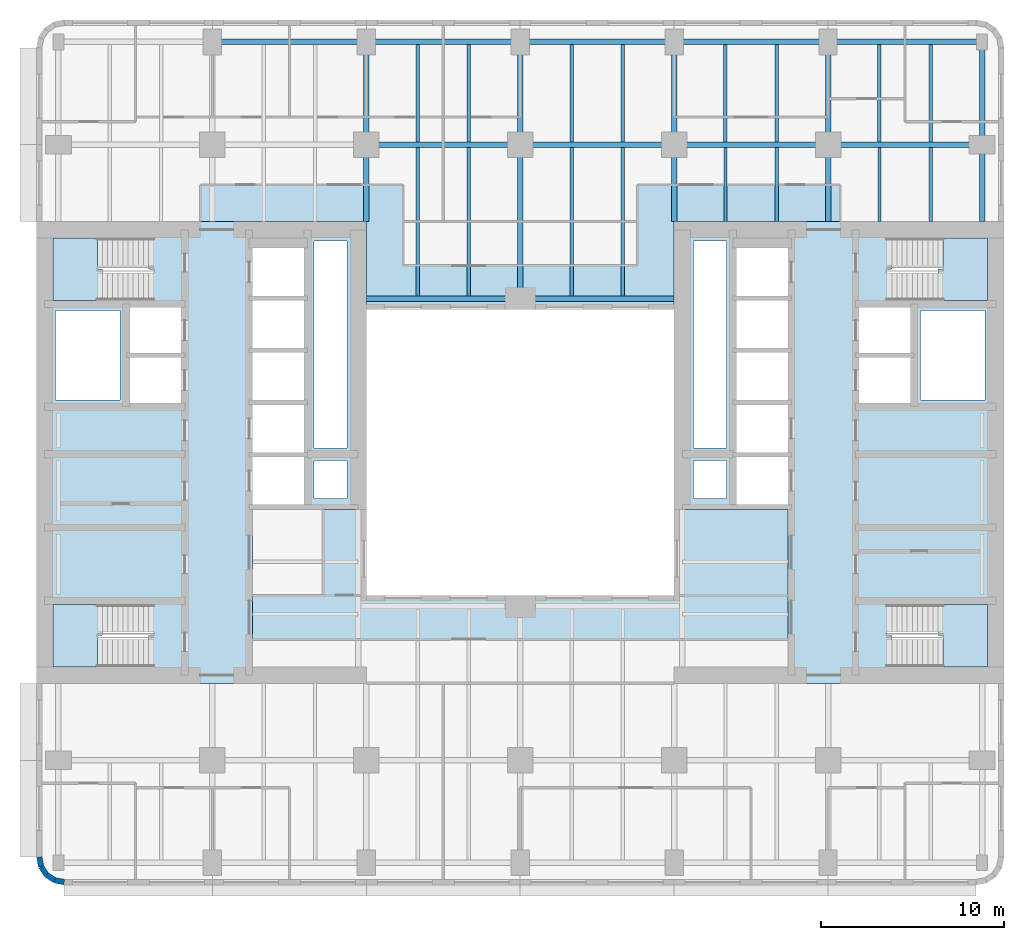
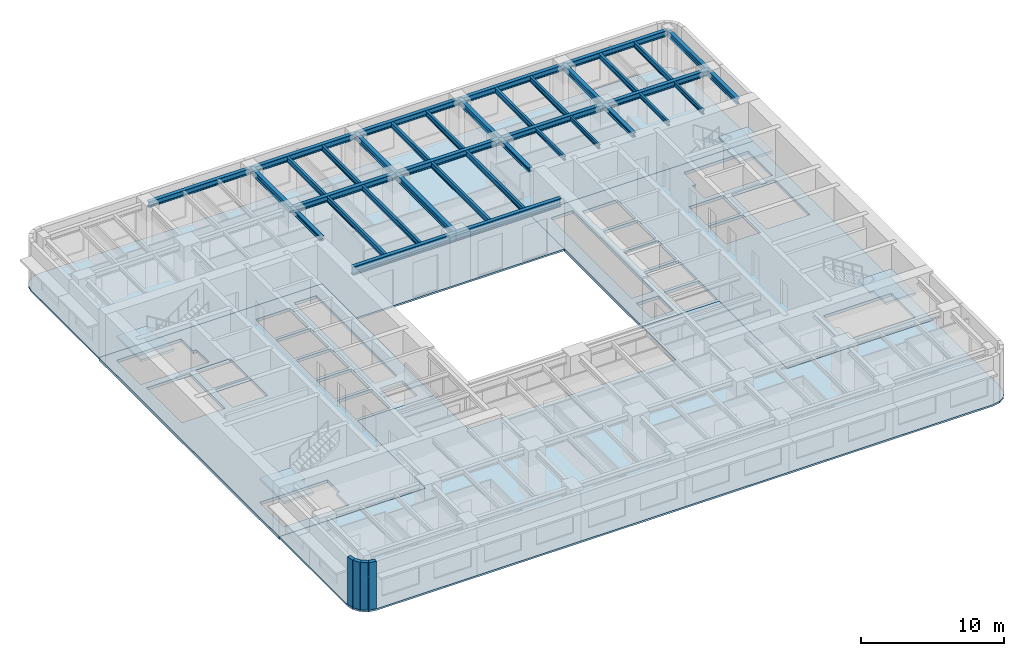
# One storey, part 2 of 11: 37 beams, 8 slabs, 4 walls, 4 elements without a shape of their own.
"""IFC4 building model written with IfcOpenShell, lengths in metres."""

from ifc_helpers import new_model, si_unit, direction, frame, frame_2d, origin, origin_2d, place, context, subcontext, project, spatial, polyline, rectangle, i_section, outline, extrude, material, layer, layer_set, material_profile, profile_set, type_object, element, aggregate, save


model = new_model("IFC4")

# Units and contexts
model_context = context("Model", 3, precision=1e-05, world=origin(), true_north=direction((0.0, 1.0)))
body_context = subcontext(model_context, "Body", "Model", "MODEL_VIEW")
ifc_project = project(units=[si_unit("LENGTHUNIT", "METRE"), si_unit("AREAUNIT", "SQUARE_METRE"), si_unit("VOLUMEUNIT", "CUBIC_METRE"), si_unit("PLANEANGLEUNIT", "RADIAN"), si_unit("MASSUNIT", "GRAM", prefix="KILO")], contexts=[model_context])

# Site, building, storey
site_placement = place(None, origin())
site = spatial("IfcSite", under=ifc_project, at=site_placement, CompositionType="ELEMENT")
building_placement = place(site_placement, origin())
building = spatial("IfcBuilding", under=site, at=building_placement, Name="Claustro Exchange Tower", CompositionType="ELEMENT")
storey_placement = place(building_placement, frame((0.0, 0.0, 147.0)))
storey = spatial("IfcBuildingStorey", under=building, at=storey_placement, Name="L33", CompositionType="ELEMENT", Elevation=147.0)

# Beams
ifc_material_1 = material(Name="Steel S355", Category="steel")
ifc_material_profile_1 = material_profile(ifc_material_1, i_section(OverallWidth=0.300048828125, OverallDepth=0.68994140625, WebThickness=0.014404296875, FlangeThickness=0.027099609375, FilletRadius=0.027099609375, at=origin_2d()), Name="HE 700 A")
ifc_profile_set_1 = profile_set([ifc_material_profile_1], Name="Steel S355")
beam_type_1 = type_object("IfcBeamType", Name="B13 HE 700 A light well edge girder", PredefinedType="BEAM", material=ifc_profile_set_1)
beam_1_placement = place(storey_placement, frame((16.800048828125, 33.60009765625, 3.705078125), z_axis=(1.0, 0.0, 0.0), x_axis=(0.0, 1.0, 0.0)))
element("IfcBeam", 1, at=beam_1_placement, inside=storey, type_object=beam_type_1, Name="Beam B13 L34", PredefinedType="BEAM", context=body_context, shape_type="SweptSolid", body=[
    extrude(i_section(OverallWidth=0.300048828125, OverallDepth=0.68994140625, WebThickness=0.014404296875, FlangeThickness=0.027099609375, FilletRadius=0.027099609375, at=origin_2d()), origin(), (0.0, 0.0, 1.0), 8.39990234375),
])
beam_2_placement = place(storey_placement, frame((25.199951171875, 33.60009765625, 3.705078125), z_axis=(1.0, 0.0, 0.0), x_axis=(0.0, 1.0, 0.0)))
element("IfcBeam", 2, at=beam_2_placement, inside=storey, type_object=beam_type_1, Name="Beam B13 L34", PredefinedType="BEAM", context=body_context, shape_type="SweptSolid", body=[
    extrude(i_section(OverallWidth=0.300048828125, OverallDepth=0.68994140625, WebThickness=0.014404296875, FlangeThickness=0.027099609375, FilletRadius=0.027099609375, at=origin_2d()), origin(), (0.0, 0.0, 1.0), 8.400146484375),
])
ifc_material_2 = material(Name="Steel S355", Category="steel")
ifc_material_profile_2 = material_profile(ifc_material_2, i_section(OverallWidth=0.169921875, OverallDepth=0.360107421875, WebThickness=0.008056640625, FlangeThickness=0.0126953125, FilletRadius=0.01806640625, at=origin_2d()), Name="IPE 360")
ifc_profile_set_2 = profile_set([ifc_material_profile_2], Name="Steel S355")
beam_type_2 = type_object("IfcBeamType", Name="B16 IPE 360 short-span beam", PredefinedType="BEAM", material=ifc_profile_set_2)
for number, where, z_axis, x_axis, name in (
    (3, (36.39990234375, 37.7900390625, 3.8701171875), (0.0, 1.0, 0.0), (-1.0, 0.0, 0.0), "Beam B16 L34"),
    (4, (39.199951171875, 37.7900390625, 3.8701171875), (0.0, 1.0, 0.0), (-1.0, 0.0, 0.0), "Beam B16 L34"),
    (5, (44.800048828125, 37.7900390625, 3.8701171875), (0.0, 1.0, 0.0), (-1.0, 0.0, 0.0), "Beam B16 L34"),
    (6, (47.60009765625, 37.7900390625, 3.8701171875), (0.0, 1.0, 0.0), (-1.0, 0.0, 0.0), "Beam B16 L34"),
):
    element("IfcBeam", number, at=place(storey_placement, frame(where, z_axis=z_axis, x_axis=x_axis)), inside=storey, type_object=beam_type_2, Name=name, PredefinedType="BEAM", context=body_context, shape_type="SweptSolid", body=[
        extrude(i_section(OverallWidth=0.169921875, OverallDepth=0.360107421875, WebThickness=0.008056640625, FlangeThickness=0.0126953125, FilletRadius=0.01806640625, at=origin_2d()), origin(), (0.0, 0.0, 1.0), 4.06005859375),
    ])
ifc_material_3 = material(Name="Steel S355", Category="steel")
ifc_material_profile_3 = material_profile(ifc_material_3, i_section(OverallWidth=0.300048828125, OverallDepth=0.360107421875, WebThickness=0.012451171875, FlangeThickness=0.0224609375, FilletRadius=0.027099609375, at=origin_2d()), Name="HE 360 B")
ifc_profile_set_3 = profile_set([ifc_material_profile_3], Name="Steel S355")
beam_type_3 = type_object("IfcBeamType", Name="B29 HE 360 B column to core link beam", PredefinedType="BEAM", material=ifc_profile_set_3)
for number, where, z_axis, x_axis, name in (
    (7, (16.800048828125, 37.800048828125, 3.8701171875), (0.0, 1.0, 0.0), (-1.0, 0.0, 0.0), "Beam B29 L34"),
    (8, (33.60009765625, 37.800048828125, 3.8701171875), (0.0, 1.0, 0.0), (-1.0, 0.0, 0.0), "Beam B29 L34"),
    (9, (42.0, 37.800048828125, 3.8701171875), (0.0, 1.0, 0.0), (-1.0, 0.0, 0.0), "Beam B29 L34"),
):
    element("IfcBeam", number, at=place(storey_placement, frame(where, z_axis=z_axis, x_axis=x_axis)), inside=storey, type_object=beam_type_3, Name=name, PredefinedType="BEAM", context=body_context, shape_type="SweptSolid", body=[
        extrude(i_section(OverallWidth=0.300048828125, OverallDepth=0.360107421875, WebThickness=0.012451171875, FlangeThickness=0.0224609375, FilletRadius=0.027099609375, at=origin_2d()), origin(), (0.0, 0.0, 1.0), 4.199951171875),
    ])
ifc_material_4 = material(Name="Steel S355", Category="steel")
ifc_material_profile_4 = material_profile(ifc_material_4, i_section(OverallWidth=0.300048828125, OverallDepth=0.5, WebThickness=0.014404296875, FlangeThickness=0.028076171875, FilletRadius=0.027099609375, at=origin_2d()), Name="HE 500 B")
ifc_profile_set_4 = profile_set([ifc_material_profile_4], Name="Steel S355")
beam_type_4 = type_object("IfcBeamType", Name="B7 HE 500 B floor girder", PredefinedType="BEAM", material=ifc_profile_set_4)
beam_3_placement = place(storey_placement, frame((16.800048828125, 42.0, 3.800048828125), z_axis=(0.0, 1.0, 0.0), x_axis=(-1.0, 0.0, 0.0)))
element("IfcBeam", 10, at=beam_3_placement, inside=storey, type_object=beam_type_4, Name="Beam B7 L34", PredefinedType="BEAM", context=body_context, shape_type="SweptSolid", body=[
    extrude(i_section(OverallWidth=0.300048828125, OverallDepth=0.5, WebThickness=0.014404296875, FlangeThickness=0.028076171875, FilletRadius=0.027099609375, at=origin_2d()), origin(), (0.0, 0.0, 1.0), 5.60009765625),
])
beam_4_placement = place(storey_placement, frame((25.199951171875, 33.60009765625, 3.800048828125), z_axis=(0.0, 1.0, 0.0), x_axis=(-1.0, 0.0, 0.0)))
element("IfcBeam", 11, at=beam_4_placement, inside=storey, type_object=beam_type_4, Name="Beam B7 L34", PredefinedType="BEAM", context=body_context, shape_type="SweptSolid", body=[
    extrude(i_section(OverallWidth=0.300048828125, OverallDepth=0.5, WebThickness=0.014404296875, FlangeThickness=0.028076171875, FilletRadius=0.027099609375, at=origin_2d()), origin(), (0.0, 0.0, 1.0), 8.39990234375),
])
for number, where, z_axis, x_axis, name in (
    (12, (25.199951171875, 42.0, 3.800048828125), (0.0, 1.0, 0.0), (-1.0, 0.0, 0.0), "Beam B7 L34"),
    (13, (33.60009765625, 42.0, 3.800048828125), (0.0, 1.0, 0.0), (-1.0, 0.0, 0.0), "Beam B7 L34"),
    (14, (42.0, 42.0, 3.800048828125), (0.0, 1.0, 0.0), (-1.0, 0.0, 0.0), "Beam B7 L34"),
):
    element("IfcBeam", number, at=place(storey_placement, frame(where, z_axis=z_axis, x_axis=x_axis)), inside=storey, type_object=beam_type_4, Name=name, PredefinedType="BEAM", context=body_context, shape_type="SweptSolid", body=[
        extrude(i_section(OverallWidth=0.300048828125, OverallDepth=0.5, WebThickness=0.014404296875, FlangeThickness=0.028076171875, FilletRadius=0.027099609375, at=origin_2d()), origin(), (0.0, 0.0, 1.0), 5.60009765625),
    ])
beam_5_placement = place(storey_placement, frame((16.800048828125, 42.0, 3.800048828125), z_axis=(1.0, 0.0, 0.0), x_axis=(0.0, 1.0, 0.0)))
element("IfcBeam", 15, at=beam_5_placement, inside=storey, type_object=beam_type_4, Name="Beam B7 L34", PredefinedType="BEAM", context=body_context, shape_type="SweptSolid", body=[
    extrude(i_section(OverallWidth=0.300048828125, OverallDepth=0.5, WebThickness=0.014404296875, FlangeThickness=0.028076171875, FilletRadius=0.027099609375, at=origin_2d()), origin(), (0.0, 0.0, 1.0), 8.39990234375),
])
beam_6_placement = place(storey_placement, frame((25.199951171875, 42.0, 3.800048828125), z_axis=(1.0, 0.0, 0.0), x_axis=(0.0, 1.0, 0.0)))
element("IfcBeam", 16, at=beam_6_placement, inside=storey, type_object=beam_type_4, Name="Beam B7 L34", PredefinedType="BEAM", context=body_context, shape_type="SweptSolid", body=[
    extrude(i_section(OverallWidth=0.300048828125, OverallDepth=0.5, WebThickness=0.014404296875, FlangeThickness=0.028076171875, FilletRadius=0.027099609375, at=origin_2d()), origin(), (0.0, 0.0, 1.0), 8.400146484375),
])
for number, where, z_axis, x_axis, name in (
    (17, (33.60009765625, 42.0, 3.800048828125), (1.0, 0.0, 0.0), (0.0, 1.0, 0.0), "Beam B7 L34"),
    (18, (42.0, 42.0, 3.800048828125), (1.0, 0.0, 0.0), (0.0, 1.0, 0.0), "Beam B7 L34"),
):
    element("IfcBeam", number, at=place(storey_placement, frame(where, z_axis=z_axis, x_axis=x_axis)), inside=storey, type_object=beam_type_4, Name=name, PredefinedType="BEAM", context=body_context, shape_type="SweptSolid", body=[
        extrude(i_section(OverallWidth=0.300048828125, OverallDepth=0.5, WebThickness=0.014404296875, FlangeThickness=0.028076171875, FilletRadius=0.027099609375, at=origin_2d()), origin(), (0.0, 0.0, 1.0), 8.39990234375),
    ])
ifc_material_5 = material(Name="Steel S355", Category="steel")
ifc_material_profile_5 = material_profile(ifc_material_5, i_section(OverallWidth=0.18994140625, OverallDepth=0.449951171875, WebThickness=0.009521484375, FlangeThickness=0.0146484375, FilletRadius=0.02099609375, at=origin_2d()), Name="IPE 450")
ifc_profile_set_5 = profile_set([ifc_material_profile_5], Name="Steel S355")
beam_type_5 = type_object("IfcBeamType", Name="B8 IPE 450 secondary beam", PredefinedType="BEAM", material=ifc_profile_set_5)
for number, where, z_axis, x_axis, name in (
    (19, (19.60009765625, 33.75, 3.824951171875), (0.0, 1.0, 0.0), (-1.0, 0.0, 0.0), "Beam B8 L34"),
    (20, (22.39990234375, 33.75, 3.824951171875), (0.0, 1.0, 0.0), (-1.0, 0.0, 0.0), "Beam B8 L34"),
):
    element("IfcBeam", number, at=place(storey_placement, frame(where, z_axis=z_axis, x_axis=x_axis)), inside=storey, type_object=beam_type_5, Name=name, PredefinedType="BEAM", context=body_context, shape_type="SweptSolid", body=[
        extrude(i_section(OverallWidth=0.18994140625, OverallDepth=0.449951171875, WebThickness=0.009521484375, FlangeThickness=0.0146484375, FilletRadius=0.02099609375, at=origin_2d()), origin(), (0.0, 0.0, 1.0), 8.10009765625),
    ])
for number, where, z_axis, x_axis, name in (
    (21, (19.60009765625, 42.14990234375, 3.824951171875), (0.0, 1.0, 0.0), (-1.0, 0.0, 0.0), "Beam B8 L34"),
    (22, (22.39990234375, 42.14990234375, 3.824951171875), (0.0, 1.0, 0.0), (-1.0, 0.0, 0.0), "Beam B8 L34"),
):
    element("IfcBeam", number, at=place(storey_placement, frame(where, z_axis=z_axis, x_axis=x_axis)), inside=storey, type_object=beam_type_5, Name=name, PredefinedType="BEAM", context=body_context, shape_type="SweptSolid", body=[
        extrude(i_section(OverallWidth=0.18994140625, OverallDepth=0.449951171875, WebThickness=0.009521484375, FlangeThickness=0.0146484375, FilletRadius=0.02099609375, at=origin_2d()), origin(), (0.0, 0.0, 1.0), 5.300048828125),
    ])
for number, where, z_axis, x_axis, name in (
    (23, (28.0, 33.75, 3.824951171875), (0.0, 1.0, 0.0), (-1.0, 0.0, 0.0), "Beam B8 L34"),
    (24, (30.800048828125, 33.75, 3.824951171875), (0.0, 1.0, 0.0), (-1.0, 0.0, 0.0), "Beam B8 L34"),
):
    element("IfcBeam", number, at=place(storey_placement, frame(where, z_axis=z_axis, x_axis=x_axis)), inside=storey, type_object=beam_type_5, Name=name, PredefinedType="BEAM", context=body_context, shape_type="SweptSolid", body=[
        extrude(i_section(OverallWidth=0.18994140625, OverallDepth=0.449951171875, WebThickness=0.009521484375, FlangeThickness=0.0146484375, FilletRadius=0.02099609375, at=origin_2d()), origin(), (0.0, 0.0, 1.0), 8.10009765625),
    ])
for number, where, z_axis, x_axis, name in (
    (25, (28.0, 42.14990234375, 3.824951171875), (0.0, 1.0, 0.0), (-1.0, 0.0, 0.0), "Beam B8 L34"),
    (26, (30.800048828125, 42.14990234375, 3.824951171875), (0.0, 1.0, 0.0), (-1.0, 0.0, 0.0), "Beam B8 L34"),
    (27, (36.39990234375, 42.14990234375, 3.824951171875), (0.0, 1.0, 0.0), (-1.0, 0.0, 0.0), "Beam B8 L34"),
    (28, (39.199951171875, 42.14990234375, 3.824951171875), (0.0, 1.0, 0.0), (-1.0, 0.0, 0.0), "Beam B8 L34"),
    (29, (44.800048828125, 42.14990234375, 3.824951171875), (0.0, 1.0, 0.0), (-1.0, 0.0, 0.0), "Beam B8 L34"),
    (30, (47.60009765625, 42.14990234375, 3.824951171875), (0.0, 1.0, 0.0), (-1.0, 0.0, 0.0), "Beam B8 L34"),
):
    element("IfcBeam", number, at=place(storey_placement, frame(where, z_axis=z_axis, x_axis=x_axis)), inside=storey, type_object=beam_type_5, Name=name, PredefinedType="BEAM", context=body_context, shape_type="SweptSolid", body=[
        extrude(i_section(OverallWidth=0.18994140625, OverallDepth=0.449951171875, WebThickness=0.009521484375, FlangeThickness=0.0146484375, FilletRadius=0.02099609375, at=origin_2d()), origin(), (0.0, 0.0, 1.0), 5.300048828125),
    ])
ifc_material_6 = material(Name="Steel S355", Category="steel")
ifc_material_profile_6 = material_profile(ifc_material_6, i_section(OverallWidth=0.300048828125, OverallDepth=0.489990234375, WebThickness=0.011962890625, FlangeThickness=0.02294921875, FilletRadius=0.027099609375, at=origin_2d()), Name="HE 500 A")
ifc_profile_set_6 = profile_set([ifc_material_profile_6], Name="Steel S355")
beam_type_6 = type_object("IfcBeamType", Name="B9 HE 500 A spandrel edge girder", PredefinedType="SPANDREL", material=ifc_profile_set_6)
beam_7_placement = place(storey_placement, frame((50.39990234375, 37.800048828125, 3.804931640625), z_axis=(0.0, 1.0, 0.0), x_axis=(-1.0, 0.0, 0.0)))
element("IfcBeam", 31, at=beam_7_placement, inside=storey, type_object=beam_type_6, Name="Beam B9 L34", PredefinedType="SPANDREL", context=body_context, shape_type="SweptSolid", body=[
    extrude(i_section(OverallWidth=0.300048828125, OverallDepth=0.489990234375, WebThickness=0.011962890625, FlangeThickness=0.02294921875, FilletRadius=0.027099609375, at=origin_2d()), origin(), (0.0, 0.0, 1.0), 4.199951171875),
])
beam_8_placement = place(storey_placement, frame((50.39990234375, 42.0, 3.804931640625), z_axis=(0.0, 1.0, 0.0), x_axis=(-1.0, 0.0, 0.0)))
element("IfcBeam", 32, at=beam_8_placement, inside=storey, type_object=beam_type_6, Name="Beam B9 L34", PredefinedType="SPANDREL", context=body_context, shape_type="SweptSolid", body=[
    extrude(i_section(OverallWidth=0.300048828125, OverallDepth=0.489990234375, WebThickness=0.011962890625, FlangeThickness=0.02294921875, FilletRadius=0.027099609375, at=origin_2d()), origin(), (0.0, 0.0, 1.0), 5.60009765625),
])
beam_9_placement = place(storey_placement, frame((8.39990234375, 47.60009765625, 3.804931640625), z_axis=(1.0, 0.0, 0.0), x_axis=(0.0, 1.0, 0.0)))
element("IfcBeam", 33, at=beam_9_placement, inside=storey, type_object=beam_type_6, Name="Beam B9 L34", PredefinedType="SPANDREL", context=body_context, shape_type="SweptSolid", body=[
    extrude(i_section(OverallWidth=0.300048828125, OverallDepth=0.489990234375, WebThickness=0.011962890625, FlangeThickness=0.02294921875, FilletRadius=0.027099609375, at=origin_2d()), origin(), (0.0, 0.0, 1.0), 8.400146484375),
])
beam_10_placement = place(storey_placement, frame((16.800048828125, 47.60009765625, 3.804931640625), z_axis=(1.0, 0.0, 0.0), x_axis=(0.0, 1.0, 0.0)))
element("IfcBeam", 34, at=beam_10_placement, inside=storey, type_object=beam_type_6, Name="Beam B9 L34", PredefinedType="SPANDREL", context=body_context, shape_type="SweptSolid", body=[
    extrude(i_section(OverallWidth=0.300048828125, OverallDepth=0.489990234375, WebThickness=0.011962890625, FlangeThickness=0.02294921875, FilletRadius=0.027099609375, at=origin_2d()), origin(), (0.0, 0.0, 1.0), 8.39990234375),
])
beam_11_placement = place(storey_placement, frame((25.199951171875, 47.60009765625, 3.804931640625), z_axis=(1.0, 0.0, 0.0), x_axis=(0.0, 1.0, 0.0)))
element("IfcBeam", 35, at=beam_11_placement, inside=storey, type_object=beam_type_6, Name="Beam B9 L34", PredefinedType="SPANDREL", context=body_context, shape_type="SweptSolid", body=[
    extrude(i_section(OverallWidth=0.300048828125, OverallDepth=0.489990234375, WebThickness=0.011962890625, FlangeThickness=0.02294921875, FilletRadius=0.027099609375, at=origin_2d()), origin(), (0.0, 0.0, 1.0), 8.400146484375),
])
for number, where, z_axis, x_axis, name in (
    (36, (33.60009765625, 47.60009765625, 3.804931640625), (1.0, 0.0, 0.0), (0.0, 1.0, 0.0), "Beam B9 L34"),
    (37, (42.0, 47.60009765625, 3.804931640625), (1.0, 0.0, 0.0), (0.0, 1.0, 0.0), "Beam B9 L34"),
):
    element("IfcBeam", number, at=place(storey_placement, frame(where, z_axis=z_axis, x_axis=x_axis)), inside=storey, type_object=beam_type_6, Name=name, PredefinedType="SPANDREL", context=body_context, shape_type="SweptSolid", body=[
        extrude(i_section(OverallWidth=0.300048828125, OverallDepth=0.489990234375, WebThickness=0.011962890625, FlangeThickness=0.02294921875, FilletRadius=0.027099609375, at=origin_2d()), origin(), (0.0, 0.0, 1.0), 8.39990234375),
    ])

# Slabs
ifc_material_7 = material(Name="Concrete HA-50 (C50/60)", Category="concrete")
ifc_layer_1 = layer(ifc_material_7, 0.14990234375)
ifc_layer_set_1 = layer_set([ifc_layer_1], Name="Concrete HA-50 (C50/60)")
slab_type_1 = type_object("IfcSlabType", Name="S2 150 composite floor slab", PredefinedType="FLOOR", material=ifc_layer_set_1)
slab_1_placement = place(storey_placement, frame((0.0, 0.0, -0.14990234375)))
element("IfcSlab", 38, at=slab_1_placement, inside=storey, type_object=slab_type_1, Name="Floor slab S2 S L33", PredefinedType="FLOOR", context=body_context, shape_type="SweptSolid", body=[
    extrude(outline(polyline([(-0.27392578125, 1.714111328125), (0.300048828125, 1.60009765625), (50.10009765625, 1.60009765625), (50.674072265625, 1.714111328125), (51.16064453125, 2.039306640625), (51.48583984375, 2.52587890625), (51.60009765625, 3.10009765625), (51.60009765625, 12.60009765625), (39.800048828125, 12.60009765625), (39.800048828125, 22.10009765625), (33.60009765625, 22.10009765625), (33.60009765625, 17.39990234375), (16.800048828125, 17.39990234375), (16.800048828125, 22.10009765625), (10.60009765625, 22.10009765625), (10.60009765625, 12.60009765625), (-1.199951171875, 12.60009765625), (-1.199951171875, 3.10009765625), (-1.085693359375, 2.52587890625), (-0.7607421875, 2.039306640625), (-0.27392578125, 1.714111328125)])), origin(), (0.0, 0.0, 1.0), 0.14990234375),
])
slab_2_placement = place(storey_placement, frame((0.0, 0.0, -0.14990234375)))
element("IfcSlab", 39, at=slab_2_placement, inside=storey, type_object=slab_type_1, Name="Floor slab S2 N L33", PredefinedType="FLOOR", context=body_context, shape_type="SweptSolid", body=[
    extrude(outline(polyline([(16.800048828125, 37.800048828125), (16.800048828125, 33.0), (33.60009765625, 33.0), (33.60009765625, 37.800048828125), (51.60009765625, 37.800048828125), (51.60009765625, 47.300048828125), (51.48583984375, 47.8740234375), (51.16064453125, 48.360595703125), (50.674072265625, 48.685791015625), (50.10009765625, 48.800048828125), (0.300048828125, 48.800048828125), (-0.27392578125, 48.685791015625), (-0.7607421875, 48.360595703125), (-1.085693359375, 47.8740234375), (-1.199951171875, 47.300048828125), (-1.199951171875, 37.800048828125), (16.800048828125, 37.800048828125)])), origin(), (0.0, 0.0, 1.0), 0.14990234375),
])
ifc_material_8 = material(Name="Concrete HA-50 (C50/60)", Category="concrete")
ifc_layer_2 = layer(ifc_material_8, 0.25)
ifc_layer_set_2 = layer_set([ifc_layer_2], Name="Concrete HA-50 (C50/60)")
slab_type_2 = type_object("IfcSlabType", Name="S7 250 core floor slab", PredefinedType="FLOOR", material=ifc_layer_set_2)
slab_3_placement = place(storey_placement, frame((0.0, 0.0, -0.25)))
element("IfcSlab", 40, at=slab_3_placement, inside=storey, type_object=slab_type_2, Name="Core floor slab S7 W core L33", PredefinedType="FLOOR", context=body_context, shape_type="SweptSolid", body=[
    extrude(outline(polyline([(-1.199951171875, 37.800048828125), (-1.199951171875, 12.60009765625), (10.60009765625, 12.60009765625), (10.60009765625, 22.10009765625), (16.800048828125, 22.10009765625), (16.800048828125, 37.800048828125), (-1.199951171875, 37.800048828125)]), holes=[polyline([(13.949951171875, 24.75), (15.75, 24.75), (15.75, 22.699951171875), (13.949951171875, 22.699951171875), (13.949951171875, 24.75)]), polyline([(13.949951171875, 36.75), (15.75, 36.75), (15.75, 25.449951171875), (13.949951171875, 25.449951171875), (13.949951171875, 36.75)]), polyline([(13.39990234375, 24.949951171875), (13.39990234375, 22.35009765625), (10.60009765625, 22.35009765625), (10.60009765625, 24.949951171875), (13.39990234375, 24.949951171875)]), polyline([(13.39990234375, 27.800048828125), (13.39990234375, 25.199951171875), (10.60009765625, 25.199951171875), (10.60009765625, 27.800048828125), (13.39990234375, 27.800048828125)]), polyline([(13.39990234375, 30.64990234375), (13.39990234375, 28.050048828125), (10.60009765625, 28.050048828125), (10.60009765625, 30.64990234375), (13.39990234375, 30.64990234375)]), polyline([(13.39990234375, 33.5), (13.39990234375, 30.89990234375), (10.60009765625, 30.89990234375), (10.60009765625, 33.5), (13.39990234375, 33.5)]), polyline([(13.39990234375, 36.35009765625), (13.39990234375, 33.75), (10.60009765625, 33.75), (10.60009765625, 36.35009765625), (13.39990234375, 36.35009765625)]), polyline([(6.699951171875, 30.375), (6.699951171875, 27.89990234375), (3.89990234375, 27.89990234375), (3.89990234375, 30.375), (6.699951171875, 30.375)]), polyline([(6.699951171875, 33.10009765625), (6.699951171875, 30.625), (3.89990234375, 30.625), (3.89990234375, 33.10009765625), (6.699951171875, 33.10009765625)]), polyline([(-0.300048828125, 15.199951171875), (-0.300048828125, 16.89990234375), (5.195068359375, 16.89990234375), (5.195068359375, 15.199951171875), (4.919921875, 15.199951171875), (4.919921875, 13.5), (-0.300048828125, 13.5), (-0.300048828125, 15.199951171875)]), polyline([(-0.300048828125, 35.199951171875), (-0.300048828125, 36.89990234375), (4.919921875, 36.89990234375), (4.919921875, 35.199951171875), (5.195068359375, 35.199951171875), (5.195068359375, 33.5), (-0.300048828125, 33.5), (-0.300048828125, 35.199951171875)]), polyline([(-0.14990234375, 32.949951171875), (3.35009765625, 32.949951171875), (3.35009765625, 28.050048828125), (-0.14990234375, 28.050048828125), (-0.14990234375, 32.949951171875)])]), origin(), (0.0, 0.0, 1.0), 0.25),
])
slab_4_placement = place(storey_placement, frame((0.0, 0.0, -0.25)))
element("IfcSlab", 41, at=slab_4_placement, inside=storey, type_object=slab_type_2, Name="Core floor slab S7 E core L33", PredefinedType="FLOOR", context=body_context, shape_type="SweptSolid", body=[
    extrude(outline(polyline([(51.60009765625, 37.800048828125), (33.60009765625, 37.800048828125), (33.60009765625, 22.10009765625), (39.800048828125, 22.10009765625), (39.800048828125, 12.60009765625), (51.60009765625, 12.60009765625), (51.60009765625, 37.800048828125)]), holes=[polyline([(45.47998046875, 15.199951171875), (45.205078125, 15.199951171875), (45.205078125, 16.89990234375), (50.699951171875, 16.89990234375), (50.699951171875, 15.199951171875), (50.699951171875, 13.5), (45.47998046875, 13.5), (45.47998046875, 15.199951171875)]), polyline([(45.47998046875, 35.199951171875), (45.47998046875, 36.89990234375), (50.699951171875, 36.89990234375), (50.699951171875, 35.199951171875), (50.699951171875, 33.5), (45.205078125, 33.5), (45.205078125, 35.199951171875), (45.47998046875, 35.199951171875)]), polyline([(50.550048828125, 32.949951171875), (50.550048828125, 28.050048828125), (47.050048828125, 28.050048828125), (47.050048828125, 32.949951171875), (50.550048828125, 32.949951171875)]), polyline([(43.699951171875, 33.10009765625), (46.5, 33.10009765625), (46.5, 30.625), (43.699951171875, 30.625), (43.699951171875, 33.10009765625)]), polyline([(46.5, 30.375), (46.5, 27.89990234375), (43.699951171875, 27.89990234375), (43.699951171875, 30.375), (46.5, 30.375)]), polyline([(37.0, 24.949951171875), (39.800048828125, 24.949951171875), (39.800048828125, 22.35009765625), (37.0, 22.35009765625), (37.0, 24.949951171875)]), polyline([(37.0, 30.64990234375), (39.800048828125, 30.64990234375), (39.800048828125, 28.050048828125), (37.0, 28.050048828125), (37.0, 30.64990234375)]), polyline([(39.800048828125, 27.800048828125), (39.800048828125, 25.199951171875), (37.0, 25.199951171875), (37.0, 27.800048828125), (39.800048828125, 27.800048828125)]), polyline([(39.800048828125, 33.5), (39.800048828125, 30.89990234375), (37.0, 30.89990234375), (37.0, 33.5), (39.800048828125, 33.5)]), polyline([(39.800048828125, 36.35009765625), (39.800048828125, 33.75), (37.0, 33.75), (37.0, 36.35009765625), (39.800048828125, 36.35009765625)]), polyline([(36.449951171875, 24.75), (36.449951171875, 22.699951171875), (34.64990234375, 22.699951171875), (34.64990234375, 24.75), (36.449951171875, 24.75)]), polyline([(36.449951171875, 36.75), (36.449951171875, 25.449951171875), (34.64990234375, 25.449951171875), (34.64990234375, 36.75), (36.449951171875, 36.75)])]), origin(), (0.0, 0.0, 1.0), 0.25),
])

# Stair, slab
ifc_material_9 = material(Name="Concrete HA-30 (C30/37), precast", Category="concrete")
stair_type = type_object("IfcStairType", Name="ST1 half-turn stair, 24 risers of 175", PredefinedType="HALF_TURN_STAIR", material=ifc_material_9)
stair_1_placement = place(storey_placement, origin())
stair_1 = element("IfcStair", 42, at=stair_1_placement, inside=storey, type_object=stair_type, Name="Stair STWA L33", PredefinedType="HALF_TURN_STAIR")
ifc_material_10 = material(Name="Concrete HA-30 (C30/37), precast", Category="concrete")
ifc_layer_3 = layer(ifc_material_10, 0.199951171875)
ifc_layer_set_3 = layer_set([ifc_layer_3], Name="Concrete HA-30 (C30/37), precast")
slab_type_3 = type_object("IfcSlabType", Name="S9 200 stair landing", PredefinedType="LANDING", material=ifc_layer_set_3)
slab_5_placement = place(storey_placement, frame((0.0, 0.0, 1.89990234375)))
slab_5 = element("IfcSlab", 43, at=slab_5_placement, type_object=slab_type_3, Name="STWA landing 1", PredefinedType="LANDING", context=body_context, shape_type="SweptSolid", body=[
    extrude(outline(polyline([(2.125, 13.5), (-0.300048828125, 13.5), (-0.300048828125, 16.89990234375), (2.1201171875, 16.89990234375), (2.125, 16.89990234375), (2.39990234375, 16.89990234375), (2.39990234375, 15.199951171875), (2.125, 15.199951171875), (2.125, 13.5)])), origin(), (0.0, 0.0, 1.0), 0.2001953125),
])
aggregate(stair_1, [slab_5])

stair_2_placement = place(storey_placement, origin())
stair_2 = element("IfcStair", 44, at=stair_2_placement, inside=storey, type_object=stair_type, Name="Stair STWB L33", PredefinedType="HALF_TURN_STAIR")
slab_6_placement = place(storey_placement, frame((0.0, 0.0, 1.89990234375)))
slab_6 = element("IfcSlab", 45, at=slab_6_placement, type_object=slab_type_3, Name="STWB landing 1", PredefinedType="LANDING", context=body_context, shape_type="SweptSolid", body=[
    extrude(outline(polyline([(2.39990234375, 35.199951171875), (2.39990234375, 33.5), (2.125, 33.5), (2.1201171875, 33.5), (-0.300048828125, 33.5), (-0.300048828125, 36.89990234375), (2.125, 36.89990234375), (2.125, 35.199951171875), (2.39990234375, 35.199951171875)])), origin(), (0.0, 0.0, 1.0), 0.2001953125),
])
aggregate(stair_2, [slab_6])

stair_3_placement = place(storey_placement, origin())
stair_3 = element("IfcStair", 46, at=stair_3_placement, inside=storey, type_object=stair_type, Name="Stair STEA L33", PredefinedType="HALF_TURN_STAIR")
slab_7_placement = place(storey_placement, frame((0.0, 0.0, 1.89990234375)))
slab_7 = element("IfcSlab", 47, at=slab_7_placement, type_object=slab_type_3, Name="STEA landing 1", PredefinedType="LANDING", context=body_context, shape_type="SweptSolid", body=[
    extrude(outline(polyline([(50.699951171875, 16.89990234375), (50.699951171875, 13.5), (48.27490234375, 13.5), (48.27490234375, 15.199951171875), (48.0, 15.199951171875), (48.0, 16.89990234375), (48.27490234375, 16.89990234375), (48.280029296875, 16.89990234375), (50.699951171875, 16.89990234375)])), origin(), (0.0, 0.0, 1.0), 0.2001953125),
])
aggregate(stair_3, [slab_7])

stair_4_placement = place(storey_placement, origin())
stair_4 = element("IfcStair", 48, at=stair_4_placement, inside=storey, type_object=stair_type, Name="Stair STEB L33", PredefinedType="HALF_TURN_STAIR")
slab_8_placement = place(storey_placement, frame((0.0, 0.0, 1.89990234375)))
slab_8 = element("IfcSlab", 49, at=slab_8_placement, type_object=slab_type_3, Name="STEB landing 1", PredefinedType="LANDING", context=body_context, shape_type="SweptSolid", body=[
    extrude(outline(polyline([(48.0, 33.5), (48.0, 35.199951171875), (48.27490234375, 35.199951171875), (48.27490234375, 36.89990234375), (50.699951171875, 36.89990234375), (50.699951171875, 33.5), (48.280029296875, 33.5), (48.27490234375, 33.5), (48.0, 33.5)])), origin(), (0.0, 0.0, 1.0), 0.2001953125),
])
aggregate(stair_4, [slab_8])

# Walls
ifc_material_11 = material(Name="Concrete HA-40 (C40/50), precast, white cement, acid-etched", Category="concrete")
ifc_layer_4 = layer(ifc_material_11, 0.300048828125)
ifc_layer_set_4 = layer_set([ifc_layer_4], Name="Concrete HA-40 (C40/50), precast, white cement, acid-etched")
wall_type = type_object("IfcWallType", Name="PC1 300 precast concrete pier panel", PredefinedType="SOLIDWALL", material=ifc_layer_set_4)
wall_1_placement = place(storey_placement, frame((0.314697265625, 1.75, 0.0), z_axis=(0.0, 0.0, 1.0), x_axis=(-0.980788534345, 0.195073962632, 0.0)))
element("IfcWall", 50, at=wall_1_placement, inside=storey, type_object=wall_type, Name="Precast pier panel PC1 L33", PredefinedType="SOLIDWALL", context=body_context, shape_type="SweptSolid", body=[
    extrude(rectangle(XDim=0.540771484375, YDim=0.300048828125, at=frame_2d((0.2705078125, 0.0))), origin(), (0.0, 0.0, 1.0), 4.050048828125),
])
for number, where, z_axis, x_axis, name in (
    (51, (-0.215576171875, 1.85546875, 0.0), (0.0, 0.0, 1.0), (-0.831478144188, 0.555557463938, 0.0), "Precast pier panel PC1 L33"),
    (52, (-0.652587890625, 2.1474609375, 0.0), (0.0, 0.0, 1.0), (-0.555557463938, 0.831478144188, 0.0), "Precast pier panel PC1 L33"),
):
    element("IfcWall", number, at=place(storey_placement, frame(where, z_axis=z_axis, x_axis=x_axis)), inside=storey, type_object=wall_type, Name=name, PredefinedType="SOLIDWALL", context=body_context, shape_type="SweptSolid", body=[
        extrude(rectangle(XDim=0.525634765625, YDim=0.300048828125, at=frame_2d((0.2626953125, 0.0))), origin(), (0.0, 0.0, 1.0), 4.050048828125),
    ])
wall_2_placement = place(storey_placement, frame((-0.944580078125, 2.58447265625, 0.0), z_axis=(0.0, 0.0, 1.0), x_axis=(-0.195073962632, 0.980788534345, 0.0)))
element("IfcWall", 53, at=wall_2_placement, inside=storey, type_object=wall_type, Name="Precast pier panel PC1 L33", PredefinedType="SOLIDWALL", context=body_context, shape_type="SweptSolid", body=[
    extrude(rectangle(XDim=0.540771484375, YDim=0.300048828125, at=frame_2d((0.2705078125, 0.0))), origin(), (0.0, 0.0, 1.0), 4.050048828125),
])

save(model, "model.ifc")
